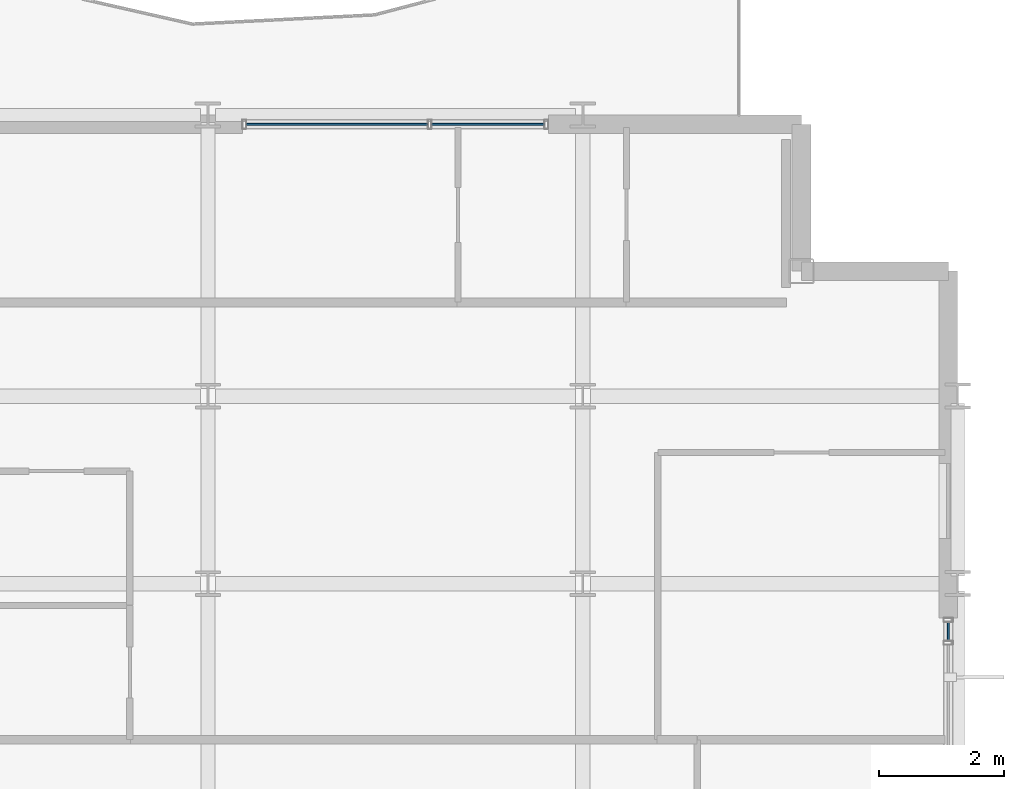
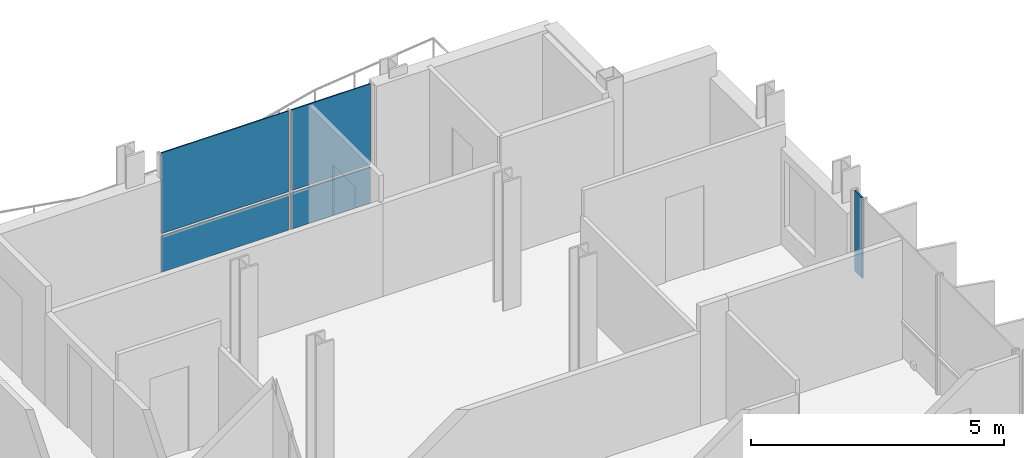
# One storey, part 26 of 40: 5 plates, 2 elements without a shape of their own.
"""IFC4 building model written with IfcOpenShell, lengths in metres."""

from ifc_helpers import new_model, si_unit, direction, frame, origin, origin_2d, place, context, subcontext, project, spatial, rectangle, extrude, material, layer, layer_set, type_object, element, aggregate, save


model = new_model("IFC4")

# Units and contexts
model_context = context("Model", 3, precision=1e-05, world=origin(), true_north=direction((0.0, 1.0)))
body_context = subcontext(model_context, "Body", "Model", "MODEL_VIEW")
ifc_project = project(units=[si_unit("LENGTHUNIT", "METRE"), si_unit("AREAUNIT", "SQUARE_METRE"), si_unit("VOLUMEUNIT", "CUBIC_METRE"), si_unit("PLANEANGLEUNIT", "RADIAN"), si_unit("MASSUNIT", "GRAM", prefix="KILO")], contexts=[model_context])

# Site, building, storey
site_placement = place(None, origin())
site = spatial("IfcSite", under=ifc_project, at=site_placement, CompositionType="ELEMENT")
building_placement = place(site_placement, origin())
building = spatial("IfcBuilding", under=site, at=building_placement, Name="Brevholm Reach", CompositionType="ELEMENT")
storey_placement = place(building_placement, frame((0.0, 0.0, 148.0)))
storey = spatial("IfcBuildingStorey", under=building, at=storey_placement, Name="L44", CompositionType="ELEMENT", Elevation=148.0)

# Curtain wall, plate
ifc_material_1 = material(Name="Dark Anodised Aluminium 6063-T6 and Solar-Control Glass", Category="aluminium")
ifc_layer_1 = layer(ifc_material_1, 0.14990234375)
ifc_layer_set_1 = layer_set([ifc_layer_1], Name="Dark Anodised Aluminium 6063-T6 and Solar-Control Glass")
curtain_wall_type = type_object("IfcCurtainWallType", Name="CW-01", PredefinedType="NOTDEFINED", material=ifc_layer_set_1)
curtain_wall_1_placement = place(storey_placement, origin())
curtain_wall_1 = element("IfcCurtainWall", 1, at=curtain_wall_1_placement, inside=storey, type_object=curtain_wall_type, Name="L44 Curtain Wall CW-01", PredefinedType="NOTDEFINED")
ifc_material_2 = material(Name="Dark Solar-Control Double-Glazed IGU Glass", Category="glass")
ifc_layer_2 = layer(ifc_material_2, 0.028076171875)
ifc_layer_set_2 = layer_set([ifc_layer_2], Name="Dark Solar-Control Double-Glazed IGU Glass")
plate_type = type_object("IfcPlateType", Name="CWP-GLZ-28", PredefinedType="CURTAIN_PANEL", material=ifc_layer_set_2)
plate_1_placement = place(storey_placement, frame((59.85009765625, 22.733642578125, 0.9326171875), z_axis=(0.0, 0.0, 1.0), x_axis=(0.0, 1.0, 0.0)))
plate_1 = element("IfcPlate", 2, at=plate_1_placement, type_object=plate_type, Name="CP-01 Glazing Panel 5.2", PredefinedType="CURTAIN_PANEL", context=body_context, shape_type="SweptSolid", body=[
    extrude(rectangle(XDim=0.302490234375, YDim=0.028076171875, at=origin_2d()), origin(), (0.0, 0.0, 1.0), 1.947509765625),
])
aggregate(curtain_wall_1, [plate_1])

# Curtain wall, plates
curtain_wall_2_placement = place(storey_placement, origin())
curtain_wall_2 = element("IfcCurtainWall", 3, at=curtain_wall_2_placement, inside=storey, type_object=curtain_wall_type, Name="L44 Curtain Wall CW-01", PredefinedType="NOTDEFINED")
plate_2_placement = place(storey_placement, frame((50.066162109375, 30.85009765625, 0.0), z_axis=(0.0, 0.0, 1.0), x_axis=(1.0, 0.0, 0.0)))
plate_2 = element("IfcPlate", 4, at=plate_2_placement, type_object=plate_type, Name="CP-01 Glazing Panel 1.1", PredefinedType="CURTAIN_PANEL", context=body_context, shape_type="SweptSolid", body=[
    extrude(rectangle(XDim=2.902587890625, YDim=0.028076171875, at=origin_2d()), origin(), (0.0, 0.0, 1.0), 0.867431640625),
])
plate_3_placement = place(storey_placement, frame((50.066162109375, 30.85009765625, 0.9326171875), z_axis=(0.0, 0.0, 1.0), x_axis=(1.0, 0.0, 0.0)))
plate_3 = element("IfcPlate", 5, at=plate_3_placement, type_object=plate_type, Name="CP-01 Glazing Panel 1.2", PredefinedType="CURTAIN_PANEL", context=body_context, shape_type="SweptSolid", body=[
    extrude(rectangle(XDim=2.902587890625, YDim=0.028076171875, at=origin_2d()), origin(), (0.0, 0.0, 1.0), 1.947509765625),
])
plate_4_placement = place(storey_placement, frame((52.483642578125, 30.85009765625, 0.0), z_axis=(0.0, 0.0, 1.0), x_axis=(1.0, 0.0, 0.0)))
plate_4 = element("IfcPlate", 6, at=plate_4_placement, type_object=plate_type, Name="CP-01 Glazing Panel 2.1", PredefinedType="CURTAIN_PANEL", context=body_context, shape_type="SweptSolid", body=[
    extrude(rectangle(XDim=1.802490234375, YDim=0.028076171875, at=origin_2d()), origin(), (0.0, 0.0, 1.0), 0.867431640625),
])
plate_5_placement = place(storey_placement, frame((52.483642578125, 30.85009765625, 0.9326171875), z_axis=(0.0, 0.0, 1.0), x_axis=(1.0, 0.0, 0.0)))
plate_5 = element("IfcPlate", 7, at=plate_5_placement, type_object=plate_type, Name="CP-01 Glazing Panel 2.2", PredefinedType="CURTAIN_PANEL", context=body_context, shape_type="SweptSolid", body=[
    extrude(rectangle(XDim=1.802490234375, YDim=0.028076171875, at=origin_2d()), origin(), (0.0, 0.0, 1.0), 1.947509765625),
])
aggregate(curtain_wall_2, [plate_2, plate_3, plate_4, plate_5])

save(model, "model.ifc")
